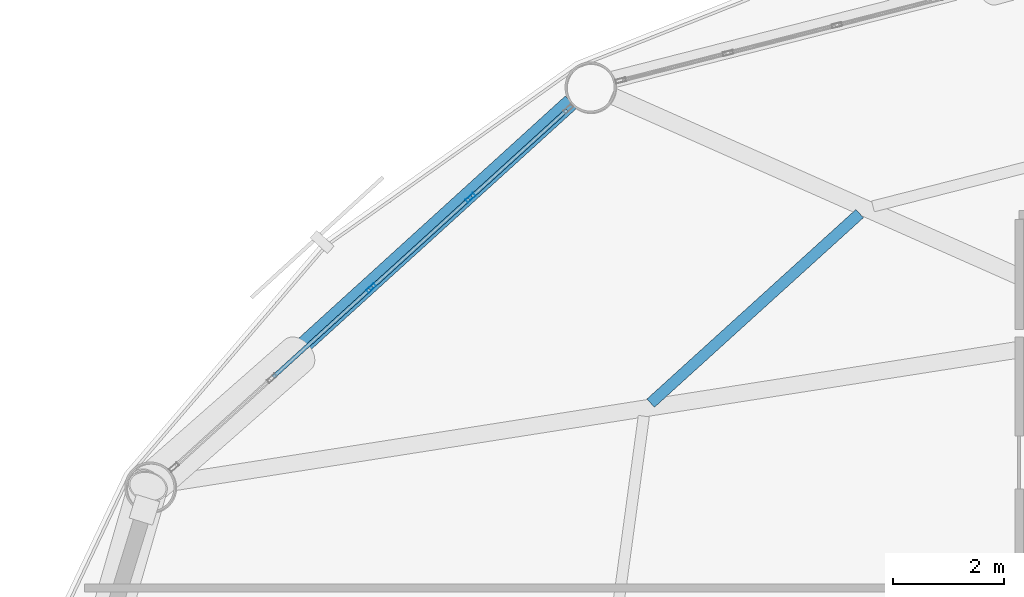
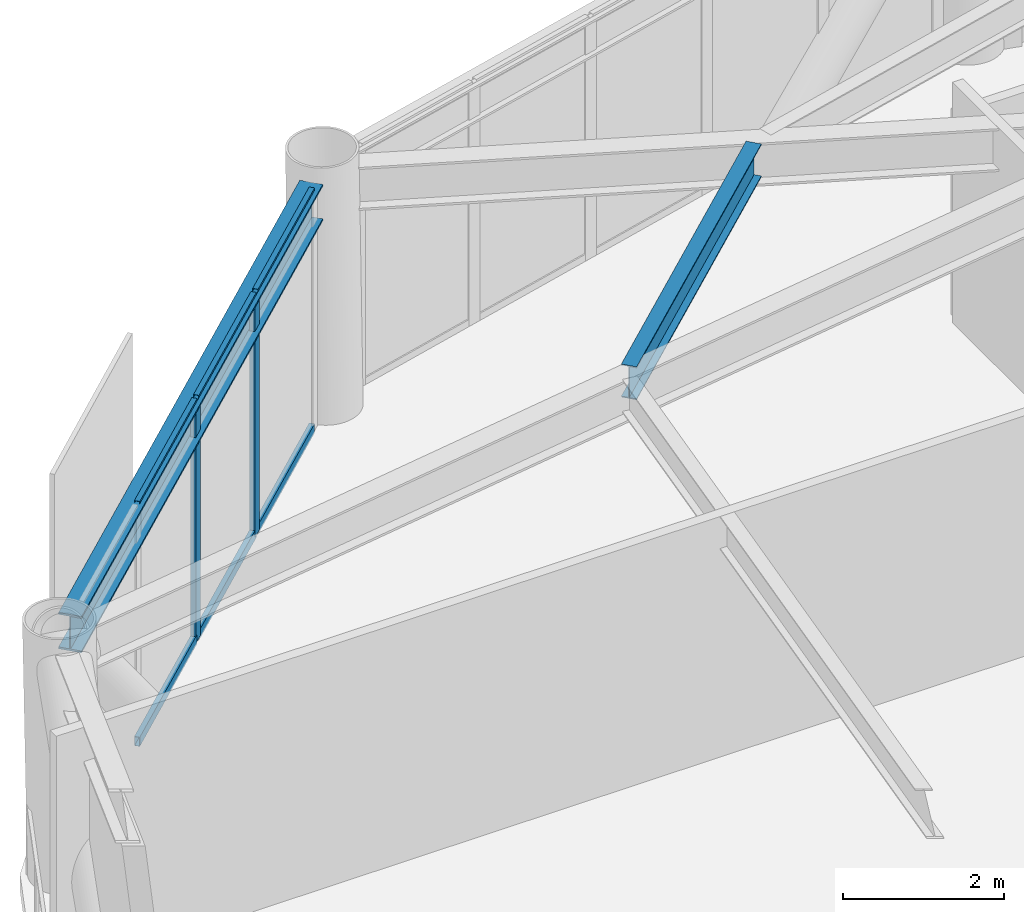
# One storey, part 15 of 25: 8 members, 2 beams, 1 element without a shape of its own.
"""IFC4 building model written with IfcOpenShell, lengths in metres."""

from ifc_helpers import new_model, si_unit, direction, frame, origin, origin_2d, place, context, subcontext, project, spatial, hollow_rectangle, i_section, extrude, material, layer, layer_set, material_profile, profile_set, type_object, element, aggregate, save


model = new_model("IFC4")

# Units and contexts
model_context = context("Model", 3, precision=1e-05, world=origin(), true_north=direction((0.0, 1.0)))
body_context = subcontext(model_context, "Body", "Model", "MODEL_VIEW")
ifc_project = project(units=[si_unit("LENGTHUNIT", "METRE"), si_unit("AREAUNIT", "SQUARE_METRE"), si_unit("VOLUMEUNIT", "CUBIC_METRE"), si_unit("PLANEANGLEUNIT", "RADIAN"), si_unit("MASSUNIT", "GRAM", prefix="KILO")], contexts=[model_context])

# Site, building, storey
site_placement = place(None, origin())
site = spatial("IfcSite", under=ifc_project, at=site_placement, CompositionType="ELEMENT")
building_placement = place(site_placement, origin())
building = spatial("IfcBuilding", under=site, at=building_placement, Name="Varnakorn Sky Granary", CompositionType="ELEMENT")
storey_placement = place(building_placement, frame((0.0, 0.0, 70.5)))
storey = spatial("IfcBuildingStorey", under=building, at=storey_placement, Name="L17", CompositionType="ELEMENT", Elevation=70.5)

# Beams
ifc_material_1 = material(Name="Steel S355JR", Category="steel")
ifc_material_profile_1 = material_profile(ifc_material_1, i_section(OverallWidth=0.199951171875, OverallDepth=0.5, WebThickness=0.01025390625, FlangeThickness=0.01611328125, at=origin_2d()), Name="IPE 500")
ifc_profile_set_1 = profile_set([ifc_material_profile_1], Name="Steel S355JR")
beam_type_1 = type_object("IfcBeamType", Name="BM-SEC-Z1", PredefinedType="BEAM", material=ifc_profile_set_1)
beam_1_placement = place(storey_placement, frame((-7.460205078125, 14.718505859375, 3.389892578125), z_axis=(-0.740722941314, -0.671810631214, 0.0), x_axis=(0.671810631214, -0.740722941314, 0.0)))
element("IfcBeam", 1, at=beam_1_placement, inside=storey, type_object=beam_type_1, Name="Secondary Floor Chord Beam MSB05 L17", PredefinedType="BEAM", context=body_context, shape_type="SweptSolid", body=[
    extrude(i_section(OverallWidth=0.199951171875, OverallDepth=0.5, WebThickness=0.01025390625, FlangeThickness=0.01611328125, at=origin_2d()), origin(), (0.0, 0.0, 1.0), 5.0625),
])
ifc_material_profile_2 = material_profile(ifc_material_1, i_section(OverallWidth=0.300048828125, OverallDepth=0.550048828125, WebThickness=0.014892578125, FlangeThickness=0.029052734375, at=origin_2d()), Name="HE 550 B")
ifc_profile_set_2 = profile_set([ifc_material_profile_2], Name="Steel S355JR")
beam_type_2 = type_object("IfcBeamType", Name="BM-SPD-Z1", PredefinedType="SPANDREL", material=ifc_profile_set_2)
beam_2_placement = place(storey_placement, frame((-12.640625, 16.716796875, 3.364990234375), z_axis=(-0.740187749982, -0.672400248941, 0.0), x_axis=(0.672400248941, -0.740187749982, 0.0)))
element("IfcBeam", 2, at=beam_2_placement, inside=storey, type_object=beam_type_2, Name="Perimeter Spandrel Ring Beam RB05 L17", PredefinedType="SPANDREL", context=body_context, shape_type="SweptSolid", body=[
    extrude(i_section(OverallWidth=0.300048828125, OverallDepth=0.550048828125, WebThickness=0.014892578125, FlangeThickness=0.029052734375, at=origin_2d()), origin(), (0.0, 0.0, 1.0), 9.810546875),
])

# Curtain wall, members
ifc_material_2 = material(Name="Anodised Bronze Aluminium Alloy 6063-T6", Category="aluminium")
ifc_layer = layer(ifc_material_2, 0.18994140625, Name="Anodised Bronze Aluminium Alloy 6063-T6")
ifc_layer_set = layer_set([ifc_layer], Name="Anodised Bronze Aluminium Alloy 6063-T6")
curtain_wall_type = type_object("IfcCurtainWallType", Name="CW-FRM-1", PredefinedType="USERDEFINED", material=ifc_layer_set)
curtain_wall_placement = place(storey_placement, origin())
curtain_wall = element("IfcCurtainWall", 3, at=curtain_wall_placement, inside=storey, type_object=curtain_wall_type, Name="Unitised Curtain Wall CW3 CW-L17-B05", ObjectType="CURTAIN WALL", PredefinedType="USERDEFINED")
ifc_material_profile_3 = material_profile(ifc_material_2, hollow_rectangle(XDim=0.070068359375, YDim=0.18505859375, WallThickness=0.00390625, at=origin_2d()), Name="ALU MULL 70x185")
ifc_profile_set_3 = profile_set([ifc_material_profile_3], Name="Anodised Bronze Aluminium Alloy 6063-T6")
member_type_1 = type_object("IfcMemberType", Name="CW-FRM-1-MULL", PredefinedType="MULLION", material=ifc_profile_set_3)
member_1_placement = place(storey_placement, frame((-16.22509765625, 13.383056640625, 0.0), z_axis=(0.0, 0.0, 1.0), x_axis=(-0.672582331683, 0.740022301764, 0.0)))
member_1 = element("IfcMember", 4, at=member_1_placement, type_object=member_type_1, Name="CW3 mullion 3", PredefinedType="MULLION", context=body_context, shape_type="SweptSolid", body=[
    extrude(hollow_rectangle(XDim=0.070068359375, YDim=0.18505859375, WallThickness=0.00390625, at=origin_2d()), origin(), (0.0, 0.0, 1.0), 3.639892578125),
])
member_2_placement = place(storey_placement, frame((-14.443603515625, 15.001953125, 0.0), z_axis=(0.0, 0.0, 1.0), x_axis=(-0.672582331683, 0.740022301764, 0.0)))
member_2 = element("IfcMember", 5, at=member_2_placement, type_object=member_type_1, Name="CW3 mullion 4", PredefinedType="MULLION", context=body_context, shape_type="SweptSolid", body=[
    extrude(hollow_rectangle(XDim=0.070068359375, YDim=0.18505859375, WallThickness=0.00390625, at=origin_2d()), origin(), (0.0, 0.0, 1.0), 3.639892578125),
])
ifc_material_profile_4 = material_profile(ifc_material_2, hollow_rectangle(XDim=0.070068359375, YDim=0.139892578125, WallThickness=0.00341796875, at=origin_2d()), Name="ALU TRAN 70x140")
ifc_profile_set_4 = profile_set([ifc_material_profile_4], Name="Anodised Bronze Aluminium Alloy 6063-T6")
member_type_2 = type_object("IfcMemberType", Name="CW-FRM-1-TRAN", PredefinedType="USERDEFINED", material=ifc_profile_set_4)
member_3_placement = place(storey_placement, frame((-17.980712890625, 11.787353515625, 0.034912109375), z_axis=(0.740039317957, 0.672563608797, 0.0), x_axis=(-0.672563608797, 0.740039317957, 0.0)))
member_3 = element("IfcMember", 6, at=member_3_placement, type_object=member_type_2, Name="CW3 transom 2.1", ObjectType="TRANSOM", PredefinedType="USERDEFINED", context=body_context, shape_type="SweptSolid", body=[
    extrude(hollow_rectangle(XDim=0.070068359375, YDim=0.139892578125, WallThickness=0.00341796875, at=origin_2d()), origin(), (0.0, 0.0, 1.0), 2.33740234375),
])
member_4_placement = place(storey_placement, frame((-17.980712890625, 11.787353515625, 3.60498046875), z_axis=(0.740039317957, 0.672563608797, 0.0), x_axis=(-0.672563608797, 0.740039317957, 0.0)))
member_4 = element("IfcMember", 7, at=member_4_placement, type_object=member_type_2, Name="CW3 transom 2.2", ObjectType="TRANSOM", PredefinedType="USERDEFINED", context=body_context, shape_type="SweptSolid", body=[
    extrude(hollow_rectangle(XDim=0.070068359375, YDim=0.139892578125, WallThickness=0.00341796875, at=origin_2d()), origin(), (0.0, 0.0, 1.0), 2.33740234375),
])
member_5_placement = place(storey_placement, frame((-16.19921875, 13.406494140625, 0.034912109375), z_axis=(0.740039317957, 0.672563608797, 0.0), x_axis=(-0.672563608797, 0.740039317957, 0.0)))
member_5 = element("IfcMember", 8, at=member_5_placement, type_object=member_type_2, Name="CW3 transom 3.1", ObjectType="TRANSOM", PredefinedType="USERDEFINED", context=body_context, shape_type="SweptSolid", body=[
    extrude(hollow_rectangle(XDim=0.070068359375, YDim=0.139892578125, WallThickness=0.00341796875, at=origin_2d()), origin(), (0.0, 0.0, 1.0), 2.33740234375),
])
member_6_placement = place(storey_placement, frame((-16.19921875, 13.406494140625, 3.60498046875), z_axis=(0.740039317957, 0.672563608797, 0.0), x_axis=(-0.672563608797, 0.740039317957, 0.0)))
member_6 = element("IfcMember", 9, at=member_6_placement, type_object=member_type_2, Name="CW3 transom 3.2", ObjectType="TRANSOM", PredefinedType="USERDEFINED", context=body_context, shape_type="SweptSolid", body=[
    extrude(hollow_rectangle(XDim=0.070068359375, YDim=0.139892578125, WallThickness=0.00341796875, at=origin_2d()), origin(), (0.0, 0.0, 1.0), 2.33740234375),
])
member_7_placement = place(storey_placement, frame((-14.417724609375, 15.025634765625, 0.034912109375), z_axis=(0.740021633712, 0.67258306672, 0.0), x_axis=(-0.67258306672, 0.740021633712, 0.0)))
member_7 = element("IfcMember", 10, at=member_7_placement, type_object=member_type_2, Name="CW3 transom 4.1", ObjectType="TRANSOM", PredefinedType="USERDEFINED", context=body_context, shape_type="SweptSolid", body=[
    extrude(hollow_rectangle(XDim=0.070068359375, YDim=0.139892578125, WallThickness=0.00341796875, at=origin_2d()), origin(), (0.0, 0.0, 1.0), 2.302490234375),
])
member_8_placement = place(storey_placement, frame((-14.417724609375, 15.025634765625, 3.60498046875), z_axis=(0.740021633712, 0.67258306672, 0.0), x_axis=(-0.67258306672, 0.740021633712, 0.0)))
member_8 = element("IfcMember", 11, at=member_8_placement, type_object=member_type_2, Name="CW3 transom 4.2", ObjectType="TRANSOM", PredefinedType="USERDEFINED", context=body_context, shape_type="SweptSolid", body=[
    extrude(hollow_rectangle(XDim=0.070068359375, YDim=0.139892578125, WallThickness=0.00341796875, at=origin_2d()), origin(), (0.0, 0.0, 1.0), 2.302490234375),
])
aggregate(curtain_wall, [member_1, member_2, member_3, member_4, member_5, member_6, member_7, member_8])

save(model, "model.ifc")
